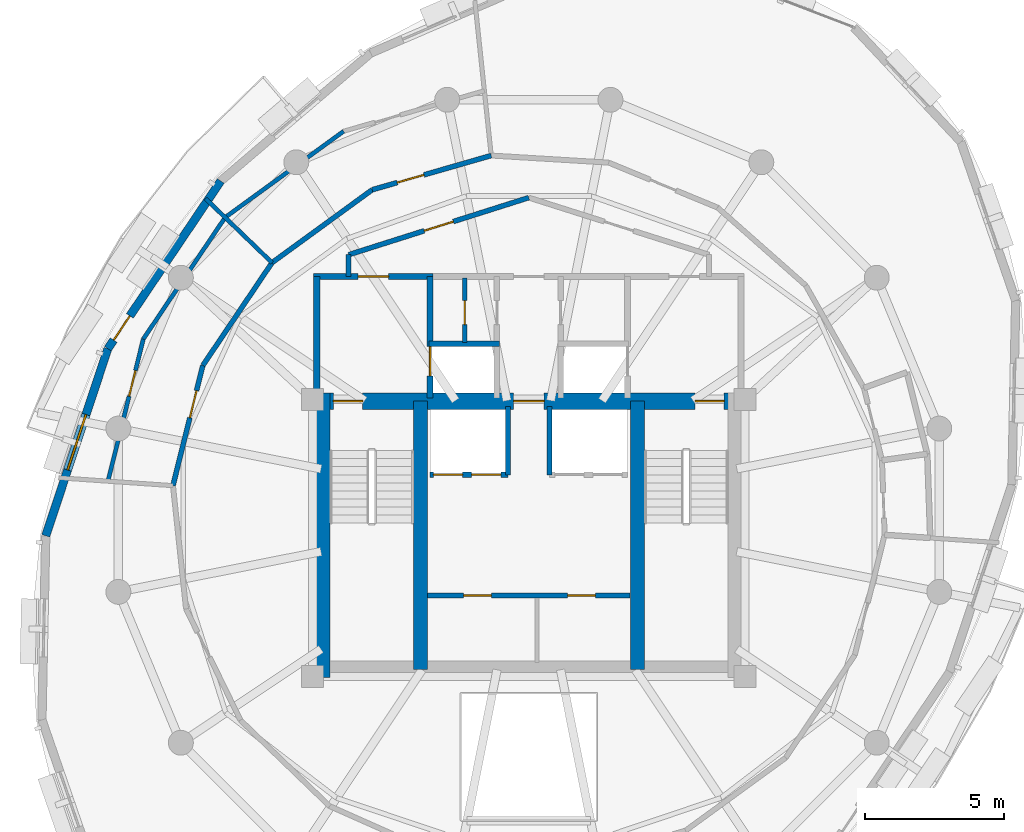
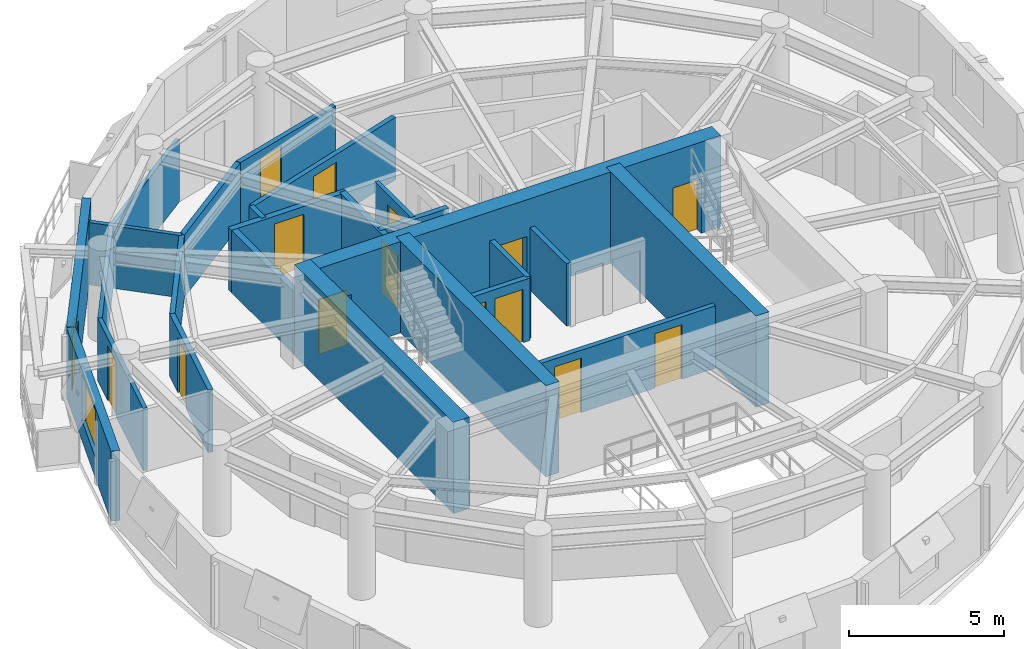
# One storey, part 7 of 11: 25 walls, 15 doors, 1 window, 16 openings.
"""IFC4 building model written with IfcOpenShell, lengths in metres."""

from ifc_helpers import new_model, si_unit, direction, frame, frame_2d, origin, place, context, subcontext, project, spatial, rectangle, extrude, material, layer, layer_set, type_object, element, fill, save


model = new_model("IFC4")

# Units and contexts
model_context = context("Model", 3, precision=1e-05, world=origin(), true_north=direction((0.0, 1.0)))
body_context = subcontext(model_context, "Body", "Model", "MODEL_VIEW")
ifc_project = project(units=[si_unit("LENGTHUNIT", "METRE"), si_unit("AREAUNIT", "SQUARE_METRE"), si_unit("VOLUMEUNIT", "CUBIC_METRE"), si_unit("PLANEANGLEUNIT", "RADIAN"), si_unit("MASSUNIT", "GRAM", prefix="KILO"), si_unit("THERMODYNAMICTEMPERATUREUNIT", "KELVIN"), si_unit("POWERUNIT", "WATT")], contexts=[model_context])

# Site, building, storey
site_placement = place(None, origin())
site = spatial("IfcSite", under=ifc_project, at=site_placement, CompositionType="ELEMENT")
building_placement = place(site_placement, origin())
building = spatial("IfcBuilding", under=site, at=building_placement, Name="Ocrelia Relay Tower", CompositionType="ELEMENT")
storey_placement = place(building_placement, frame((0.0, 0.0, 262.800048828125)))
storey = spatial("IfcBuildingStorey", under=building, at=storey_placement, Name="L65", CompositionType="ELEMENT", Elevation=262.800048828125)

# Wall, openings, doors
ifc_material_1 = material(Name="Concrete C50/60", Category="concrete")
ifc_layer_1 = layer(ifc_material_1, 0.60009765625, Name="Concrete C50/60")
ifc_layer_set_1 = layer_set([ifc_layer_1], Name="Concrete C50/60")
wall_type_1 = type_object("IfcWallType", Name="CW-CORE-600B", PredefinedType="SHEAR", material=ifc_layer_set_1)
wall_1_placement = place(storey_placement, frame((26.221923828125, 29.93798828125, 0.0), z_axis=(0.0, 0.0, 1.0), x_axis=(1.0, 0.0, 0.0)))
wall_1 = element("IfcWall", 1, at=wall_1_placement, inside=storey, type_object=wall_type_1, Name="L65 Core Shear Wall N", PredefinedType="SHEAR", context=body_context, shape_type="SweptSolid", body=[
    extrude(rectangle(XDim=15.566162109375, YDim=0.60009765625, at=frame_2d((7.783203125, 0.0))), origin(), (0.0, 0.0, 1.0), 3.599853515625),
])
opening_1_placement = place(wall_1_placement, frame((0.72802734375, 0.0, 0.0)))
opening_1 = element("IfcOpeningElement", 2, at=opening_1_placement, cuts=wall_1, Name="Opening D-FD90", PredefinedType="OPENING", context=body_context, shape_type="SweptSolid", body=[
    extrude(rectangle(XDim=1.050048828125, YDim=2.14990234375, at=frame_2d((0.52490234375, 1.074951171875))), frame((0.0, 0.31005859375, 0.0), z_axis=(0.0, -1.0, 0.0), x_axis=(1.0, 0.0, 0.0)), (0.0, 0.0, 1.0), 0.6201171875),
])
opening_2_placement = place(wall_1_placement, frame((13.778076171875, 0.0, 0.0)))
opening_2 = element("IfcOpeningElement", 3, at=opening_2_placement, cuts=wall_1, Name="Opening D-FD90", PredefinedType="OPENING", context=body_context, shape_type="SweptSolid", body=[
    extrude(rectangle(XDim=1.050048828125, YDim=2.14990234375, at=frame_2d((0.52490234375, 1.074951171875))), frame((0.0, 0.31005859375, 0.0), z_axis=(0.0, -1.0, 0.0), x_axis=(1.0, 0.0, 0.0)), (0.0, 0.0, 1.0), 0.6201171875),
])
opening_3_placement = place(wall_1_placement, frame((7.22802734375, 0.0, 0.0)))
opening_3 = element("IfcOpeningElement", 4, at=opening_3_placement, cuts=wall_1, Name="Opening D-FD60", PredefinedType="OPENING", context=body_context, shape_type="SweptSolid", body=[
    extrude(rectangle(XDim=1.10009765625, YDim=2.14990234375, at=frame_2d((0.550048828125, 1.074951171875))), frame((0.0, 0.31005859375, 0.0), z_axis=(0.0, -1.0, 0.0), x_axis=(1.0, 0.0, 0.0)), (0.0, 0.0, 1.0), 0.6201171875),
])
ifc_material_2 = material(Name="Timber-core 60-min acoustic fire door", Category="wood")
door_type_1 = type_object("IfcDoorType", Name="DR-LOBBY-FD60-1100", OperationType="NOTDEFINED", PredefinedType="DOOR", material=ifc_material_2)
door_1_placement = place(opening_3_placement, origin())
door_1 = element("IfcDoor", 5, at=door_1_placement, inside=storey, type_object=door_type_1, Name="L65 Core Lift Lobby North Fire Door", OperationType="SINGLE_SWING_LEFT", OverallHeight=2.14990234375, OverallWidth=1.10009765625, PredefinedType="DOOR", context=body_context, shape_type="SweptSolid", body=[
    extrude(rectangle(XDim=1.10009765625, YDim=2.14990234375, at=frame_2d((0.550048828125, 1.074951171875))), frame((0.0, 0.02490234375, 0.0), z_axis=(0.0, -1.0, 0.0), x_axis=(1.0, 0.0, 0.0)), (0.0, 0.0, 1.0), 0.050048828125),
])
fill(opening_3, door_1)
ifc_material_3 = material(Name="Steel S355 90-min fire door", Category="steel")
door_type_2 = type_object("IfcDoorType", Name="DR-STAIR-FD90-1050", OperationType="NOTDEFINED", PredefinedType="DOOR", material=ifc_material_3)
door_2_placement = place(opening_1_placement, origin())
door_2 = element("IfcDoor", 6, at=door_2_placement, inside=storey, type_object=door_type_2, Name="L65 Stair ST1 Fire Door", OperationType="SINGLE_SWING_LEFT", OverallHeight=2.14990234375, OverallWidth=1.050048828125, PredefinedType="DOOR", context=body_context, shape_type="SweptSolid", body=[
    extrude(rectangle(XDim=1.050048828125, YDim=2.14990234375, at=frame_2d((0.52490234375, 1.074951171875))), frame((0.0, 0.02490234375, 0.0), z_axis=(0.0, -1.0, 0.0), x_axis=(1.0, 0.0, 0.0)), (0.0, 0.0, 1.0), 0.050048828125),
])
fill(opening_1, door_2)
door_3_placement = place(opening_2_placement, origin())
door_3 = element("IfcDoor", 7, at=door_3_placement, inside=storey, type_object=door_type_2, Name="L65 Stair ST2 Fire Door", OperationType="SINGLE_SWING_RIGHT", OverallHeight=2.14990234375, OverallWidth=1.050048828125, PredefinedType="DOOR", context=body_context, shape_type="SweptSolid", body=[
    extrude(rectangle(XDim=1.050048828125, YDim=2.14990234375, at=frame_2d((0.52490234375, 1.074951171875))), frame((0.0, 0.02490234375, 0.0), z_axis=(0.0, -1.0, 0.0), x_axis=(1.0, 0.0, 0.0)), (0.0, 0.0, 1.0), 0.050048828125),
])
fill(opening_2, door_3)

# Walls
wall_2_placement = place(storey_placement, frame((26.52197265625, 19.9619140625, 0.0), z_axis=(0.0, 0.0, 1.0), x_axis=(0.0, 1.0, 0.0)))
element("IfcWall", 8, at=wall_2_placement, inside=storey, type_object=wall_type_1, Name="L65 Core Shear Wall W", PredefinedType="SHEAR", context=body_context, shape_type="SweptSolid", body=[
    extrude(rectangle(XDim=10.276123046875, YDim=0.60009765625, at=frame_2d((5.13818359375, 0.0))), origin(), (0.0, 0.0, 1.0), 3.599853515625),
])
for number, where, z_axis, x_axis, name in (
    (9, (30.087890625, 20.261962890625, 0.0), (0.0, 0.0, 1.0), (0.0, 1.0, 0.0), "L65 Core Shear Wall SPW"),
    (10, (37.922119140625, 20.261962890625, 0.0), (0.0, 0.0, 1.0), (0.0, 1.0, 0.0), "L65 Core Shear Wall SPE"),
):
    element("IfcWall", number, at=place(storey_placement, frame(where, z_axis=z_axis, x_axis=x_axis)), inside=storey, type_object=wall_type_1, Name=name, PredefinedType="SHEAR", context=body_context, shape_type="SweptSolid", body=[
        extrude(rectangle(XDim=9.676025390625, YDim=0.5, at=frame_2d((4.837890625, 0.0))), origin(), (0.0, 0.0, 1.0), 3.599853515625),
    ])

# Wall, openings, doors
ifc_material_4 = material(Name="Gypsum Fireboard Partition EI60", Category="gypsum")
ifc_layer_2 = layer(ifc_material_4, 0.179931640625, Name="Gypsum Fireboard Partition EI60")
ifc_layer_set_2 = layer_set([ifc_layer_2], Name="Gypsum Fireboard Partition EI60")
wall_type_2 = type_object("IfcWallType", Name="W-CORR-EI60-180", PredefinedType="PARTITIONING", material=ifc_layer_set_2)
wall_3_placement = place(storey_placement, frame((30.35009765625, 22.919921875, 0.0), z_axis=(0.0, 0.0, 1.0), x_axis=(1.0, 0.0, 0.0)))
wall_3 = element("IfcWall", 11, at=wall_3_placement, inside=storey, type_object=wall_type_2, Name="L65 Reclaimed Core Room Partition", PredefinedType="PARTITIONING", context=body_context, shape_type="SweptSolid", body=[
    extrude(rectangle(XDim=7.2998046875, YDim=0.179931640625, at=frame_2d((3.64990234375, 0.0))), origin(), (0.0, 0.0, 1.0), 2.4599609375),
])
opening_4_placement = place(wall_3_placement, frame((1.300048828125, 0.0, 0.0)))
opening_4 = element("IfcOpeningElement", 12, at=opening_4_placement, cuts=wall_3, Name="Opening D-RM100", PredefinedType="OPENING", context=body_context, shape_type="SweptSolid", body=[
    extrude(rectangle(XDim=1.0, YDim=2.14990234375, at=frame_2d((0.5, 1.074951171875))), frame((0.0, 0.10009765625, 0.0), z_axis=(0.0, -1.0, 0.0), x_axis=(1.0, 0.0, 0.0)), (0.0, 0.0, 1.0), 0.199951171875),
])
opening_5_placement = place(wall_3_placement, frame((5.050048828125, 0.0, 0.0)))
opening_5 = element("IfcOpeningElement", 13, at=opening_5_placement, cuts=wall_3, Name="Opening D-RM100", PredefinedType="OPENING", context=body_context, shape_type="SweptSolid", body=[
    extrude(rectangle(XDim=1.0, YDim=2.14990234375, at=frame_2d((0.5, 1.074951171875))), frame((0.0, 0.10009765625, 0.0), z_axis=(0.0, -1.0, 0.0), x_axis=(1.0, 0.0, 0.0)), (0.0, 0.0, 1.0), 0.199951171875),
])
ifc_material_5 = material(Name="Acoustic oak veneer fire door", Category="wood")
door_type_3 = type_object("IfcDoorType", Name="DR-ROOM-FD60-1000", OperationType="NOTDEFINED", PredefinedType="DOOR", material=ifc_material_5)
door_4_placement = place(opening_4_placement, origin())
door_4 = element("IfcDoor", 14, at=door_4_placement, inside=storey, type_object=door_type_3, Name="L65 Reclaimed Core Room 1 Door", OperationType="SINGLE_SWING_RIGHT", OverallHeight=2.14990234375, OverallWidth=1.0, PredefinedType="DOOR", context=body_context, shape_type="SweptSolid", body=[
    extrude(rectangle(XDim=1.0, YDim=2.14990234375, at=frame_2d((0.5, 1.074951171875))), frame((0.0, 0.02490234375, 0.0), z_axis=(0.0, -1.0, 0.0), x_axis=(1.0, 0.0, 0.0)), (0.0, 0.0, 1.0), 0.050048828125),
])
fill(opening_4, door_4)
door_5_placement = place(opening_5_placement, origin())
door_5 = element("IfcDoor", 15, at=door_5_placement, inside=storey, type_object=door_type_3, Name="L65 Reclaimed Core Room 2 Door", OperationType="SINGLE_SWING_LEFT", OverallHeight=2.14990234375, OverallWidth=1.0, PredefinedType="DOOR", context=body_context, shape_type="SweptSolid", body=[
    extrude(rectangle(XDim=1.0, YDim=2.14990234375, at=frame_2d((0.5, 1.074951171875))), frame((0.0, 0.02490234375, 0.0), z_axis=(0.0, -1.0, 0.0), x_axis=(1.0, 0.0, 0.0)), (0.0, 0.0, 1.0), 0.050048828125),
])
fill(opening_5, door_5)

# Wall
wall_4_placement = place(storey_placement, frame((27.5, 34.429931640625, 0.0), z_axis=(0.0, 0.0, 1.0), x_axis=(0.0, 1.0, 0.0)))
element("IfcWall", 16, at=wall_4_placement, inside=storey, type_object=wall_type_2, Name="L65 Smoke Lobby West Return", PredefinedType="PARTITIONING", context=body_context, shape_type="SweptSolid", body=[
    extrude(rectangle(XDim=0.7890625, YDim=0.179931640625, at=frame_2d((0.39453125, 0.0))), origin(), (0.0, 0.0, 1.0), 2.4599609375),
])

# Wall, opening, door
wall_5_placement = place(storey_placement, frame((27.5, 35.218994140625, 0.0), z_axis=(0.0, 0.0, 1.0), x_axis=(0.953228121756, 0.302251795518, 0.0)))
wall_5 = element("IfcWall", 17, at=wall_5_placement, inside=storey, type_object=wall_type_2, Name="L65 North Smoke Lobby W Screen Wall", PredefinedType="PARTITIONING", context=body_context, shape_type="SweptSolid", body=[
    extrude(rectangle(XDim=6.81884765625, YDim=0.179931640625, at=frame_2d((3.409423828125, 0.0))), origin(), (0.0, 0.0, 1.0), 2.4599609375),
])
opening_6_placement = place(wall_5_placement, frame((2.859619140625, 0.0, 0.0)))
opening_6 = element("IfcOpeningElement", 18, at=opening_6_placement, cuts=wall_5, Name="Opening D-FD60", PredefinedType="OPENING", context=body_context, shape_type="SweptSolid", body=[
    extrude(rectangle(XDim=1.10009765625, YDim=2.14990234375, at=frame_2d((0.550048828125, 1.074951171875))), frame((0.0, 0.10009765625, 0.0), z_axis=(0.0, -1.0, 0.0), x_axis=(1.0, 0.0, 0.0)), (0.0, 0.0, 1.0), 0.199951171875),
])
door_6_placement = place(opening_6_placement, origin())
door_6 = element("IfcDoor", 19, at=door_6_placement, inside=storey, type_object=door_type_1, Name="L65 North Smoke Lobby W Fire Door", OperationType="SINGLE_SWING_RIGHT", OverallHeight=2.14990234375, OverallWidth=1.10009765625, PredefinedType="DOOR", context=body_context, shape_type="SweptSolid", body=[
    extrude(rectangle(XDim=1.10009765625, YDim=2.14990234375, at=frame_2d((0.550048828125, 1.074951171875))), frame((0.0, 0.02490234375, 0.0), z_axis=(0.0, -1.0, 0.0), x_axis=(1.0, 0.0, 0.0)), (0.0, 0.0, 1.0), 0.050048828125),
])
fill(opening_6, door_6)

wall_6_placement = place(storey_placement, frame((32.6435546875, 38.79833984375, 0.0), z_axis=(0.0, 0.0, 1.0), x_axis=(-0.961015255025, -0.276495351878, 0.0)))
wall_6 = element("IfcWall", 20, at=wall_6_placement, inside=storey, type_object=wall_type_2, Name="L65 Registry Store A Corridor Partition 1", PredefinedType="PARTITIONING", context=body_context, shape_type="SweptSolid", body=[
    extrude(rectangle(XDim=4.4697265625, YDim=0.179931640625, at=frame_2d((2.23486328125, 0.0))), origin(), (0.0, 0.0, 1.0), 2.4599609375),
])
opening_7_placement = place(wall_6_placement, frame((2.527099609375, 0.0, 0.0)))
opening_7 = element("IfcOpeningElement", 21, at=opening_7_placement, cuts=wall_6, Name="Opening D-RM100", PredefinedType="OPENING", context=body_context, shape_type="SweptSolid", body=[
    extrude(rectangle(XDim=1.0, YDim=2.14990234375, at=frame_2d((0.5, 1.074951171875))), frame((0.0, 0.10009765625, 0.0), z_axis=(0.0, -1.0, 0.0), x_axis=(1.0, 0.0, 0.0)), (0.0, 0.0, 1.0), 0.199951171875),
])
door_7_placement = place(opening_7_placement, origin())
door_7 = element("IfcDoor", 22, at=door_7_placement, inside=storey, type_object=door_type_3, Name="L65 Registry Store A Entrance Door", OperationType="SINGLE_SWING_LEFT", OverallHeight=2.14990234375, OverallWidth=1.0, PredefinedType="DOOR", context=body_context, shape_type="SweptSolid", body=[
    extrude(rectangle(XDim=1.0, YDim=2.14990234375, at=frame_2d((0.5, 1.074951171875))), frame((0.0, 0.02490234375, 0.0), z_axis=(0.0, -1.0, 0.0), x_axis=(1.0, 0.0, 0.0)), (0.0, 0.0, 1.0), 0.050048828125),
])
fill(opening_7, door_7)

# Walls
for number, where, z_axis, x_axis, name in (
    (23, (28.34814453125, 37.5625, 0.0), (0.0, 0.0, 1.0), (-0.808504545443, -0.588489931942, 0.0), "L65 Registry Store A Corridor Partition 2"),
    (24, (24.734375, 34.93212890625, 0.0), (0.0, 0.0, 1.0), (-0.558488411433, -0.829512323172, 0.0), "L65 Records Cupboard Store B Corridor Partition 1"),
):
    element("IfcWall", number, at=place(storey_placement, frame(where, z_axis=z_axis, x_axis=x_axis)), inside=storey, type_object=wall_type_2, Name=name, PredefinedType="PARTITIONING", context=body_context, shape_type="SweptSolid", body=[
        extrude(rectangle(XDim=4.4697265625, YDim=0.179931640625, at=frame_2d((2.23486328125, 0.0))), origin(), (0.0, 0.0, 1.0), 2.4599609375),
    ])

# Wall, opening, door
wall_7_placement = place(storey_placement, frame((22.238037109375, 31.224365234375, 0.0), z_axis=(0.0, 0.0, 1.0), x_axis=(-0.241057272798, -0.970510891866, 0.0)))
wall_7 = element("IfcWall", 25, at=wall_7_placement, inside=storey, type_object=wall_type_2, Name="L65 Records Cupboard Store B Corridor Partition 2", PredefinedType="PARTITIONING", context=body_context, shape_type="SweptSolid", body=[
    extrude(rectangle(XDim=4.469482421875, YDim=0.179931640625, at=frame_2d((2.23486328125, 0.0))), origin(), (0.0, 0.0, 1.0), 2.4599609375),
])
opening_8_placement = place(wall_7_placement, frame((0.9423828125, 0.0, 0.0)))
opening_8 = element("IfcOpeningElement", 26, at=opening_8_placement, cuts=wall_7, Name="Opening D-RM100", PredefinedType="OPENING", context=body_context, shape_type="SweptSolid", body=[
    extrude(rectangle(XDim=1.0, YDim=2.14990234375, at=frame_2d((0.5, 1.074951171875))), frame((0.0, 0.10009765625, 0.0), z_axis=(0.0, -1.0, 0.0), x_axis=(1.0, 0.0, 0.0)), (0.0, 0.0, 1.0), 0.199951171875),
])
door_8_placement = place(opening_8_placement, origin())
door_8 = element("IfcDoor", 27, at=door_8_placement, inside=storey, type_object=door_type_3, Name="L65 Records Cupboard Store B Entrance Door", OperationType="SINGLE_SWING_LEFT", OverallHeight=2.14990234375, OverallWidth=1.0, PredefinedType="DOOR", context=body_context, shape_type="SweptSolid", body=[
    extrude(rectangle(XDim=1.0, YDim=2.14990234375, at=frame_2d((0.5, 1.074951171875))), frame((0.0, 0.02490234375, 0.0), z_axis=(0.0, -1.0, 0.0), x_axis=(1.0, 0.0, 0.0)), (0.0, 0.0, 1.0), 0.050048828125),
])
fill(opening_8, door_8)

ifc_material_6 = material(Name="Precast concrete C40/50 with oxide terracotta", Category="masonry")
ifc_layer_3 = layer(ifc_material_6, 0.300048828125, Name="Precast concrete C40/50 with oxide terracotta")
ifc_layer_set_3 = layer_set([ifc_layer_3], Name="Precast concrete C40/50 with oxide terracotta")
wall_type_3 = type_object("IfcWallType", Name="W-EXT-TERR-300", PredefinedType="SOLIDWALL", material=ifc_layer_set_3)
wall_8_placement = place(storey_placement, frame((22.884033203125, 37.879638671875, 0.0), z_axis=(0.0, 0.0, 1.0), x_axis=(-0.558472062766, -0.829523330057, 0.0)))
wall_8 = element("IfcWall", 28, at=wall_8_placement, inside=storey, type_object=wall_type_3, Name="L65 Oxide Terracotta Facade Wall 05", PredefinedType="SOLIDWALL", context=body_context, shape_type="SweptSolid", body=[
    extrude(rectangle(XDim=7.293212890625, YDim=0.300048828125, at=frame_2d((3.646484375, 0.0))), origin(), (0.0, 0.0, 1.0), 2.760009765625),
])
opening_9_placement = place(wall_8_placement, frame((5.8701171875, 0.0, 0.0)))
opening_9 = element("IfcOpeningElement", 29, at=opening_9_placement, cuts=wall_8, Name="Opening DB-105", PredefinedType="OPENING", context=body_context, shape_type="SweptSolid", body=[
    extrude(rectangle(XDim=1.050048828125, YDim=2.14990234375, at=frame_2d((0.52490234375, 1.074951171875))), frame((0.0, 0.16015625, 0.0), z_axis=(0.0, -1.0, 0.0), x_axis=(1.0, 0.0, 0.0)), (0.0, 0.0, 1.0), 0.320068359375),
])
ifc_material_7 = material(Name="Thermally broken aluminium and clear glass", Category="aluminium")
door_type_4 = type_object("IfcDoorType", Name="DR-BALC-1050", OperationType="NOTDEFINED", PredefinedType="DOOR", material=ifc_material_7)
door_9_placement = place(opening_9_placement, origin())
door_9 = element("IfcDoor", 30, at=door_9_placement, inside=storey, type_object=door_type_4, Name="L65 Planted Loggia Balcony Door B1", OperationType="SINGLE_SWING_LEFT", OverallHeight=2.14990234375, OverallWidth=1.050048828125, PredefinedType="DOOR", context=body_context, shape_type="SweptSolid", body=[
    extrude(rectangle(XDim=1.050048828125, YDim=2.14990234375, at=frame_2d((0.52490234375, 1.074951171875))), frame((0.0, 0.02490234375, 0.0), z_axis=(0.0, -1.0, 0.0), x_axis=(1.0, 0.0, 0.0)), (0.0, 0.0, 1.0), 0.050048828125),
])
fill(opening_9, door_9)

# Wall, opening, window
wall_9_placement = place(storey_placement, frame((18.81103515625, 31.829833984375, 0.0), z_axis=(0.0, 0.0, 1.0), x_axis=(-0.314951068445, -0.949107909821, 0.0)))
wall_9 = element("IfcWall", 31, at=wall_9_placement, inside=storey, type_object=wall_type_3, Name="L65 Oxide Terracotta Facade Wall 06", PredefinedType="SOLIDWALL", context=body_context, shape_type="SweptSolid", body=[
    extrude(rectangle(XDim=7.115234375, YDim=0.300048828125, at=frame_2d((3.5576171875, 0.0))), origin(), (0.0, 0.0, 1.0), 2.760009765625),
])
opening_10_placement = place(wall_9_placement, frame((2.508056640625, 0.0, 0.800048828125)))
opening_10 = element("IfcOpeningElement", 32, at=opening_10_placement, cuts=wall_9, Name="Opening W-07", PredefinedType="OPENING", context=body_context, shape_type="SweptSolid", body=[
    extrude(rectangle(XDim=2.10009765625, YDim=1.85009765625, at=frame_2d((1.050048828125, 0.925048828125))), frame((0.0, 0.16015625, 0.0), z_axis=(0.0, -1.0, 0.0), x_axis=(1.0, 0.0, 0.0)), (0.0, 0.0, 1.0), 0.320068359375),
])
ifc_material_8 = material(Name="Clear double-glazed low-E glass", Category="glass")
window_type = type_object("IfcWindowType", Name="WIN-Z4-2100x2200", PartitioningType="DOUBLE_PANEL_VERTICAL", PredefinedType="WINDOW", material=ifc_material_8)
window_placement = place(opening_10_placement, origin())
window = element("IfcWindow", 33, at=window_placement, inside=storey, type_object=window_type, Name="L65 Facade Module Window 06", OverallHeight=1.85009765625, OverallWidth=2.10009765625, PartitioningType="SINGLE_PANEL", PredefinedType="WINDOW", context=body_context, shape_type="SweptSolid", body=[
    extrude(rectangle(XDim=2.10009765625, YDim=1.85009765625, at=frame_2d((1.050048828125, 0.925048828125))), frame((0.0, 0.030029296875, 0.0), z_axis=(0.0, -1.0, 0.0), x_axis=(1.0, 0.0, 0.0)), (0.0, 0.0, 1.0), 0.06005859375),
])
fill(opening_10, window)

# Wall
ifc_layer_4 = layer(ifc_material_1, 0.219970703125, Name="Concrete C50/60")
ifc_layer_set_4 = layer_set([ifc_layer_4], Name="Concrete C50/60")
wall_type_4 = type_object("IfcWallType", Name="W-FFL-EI120-220", PredefinedType="SOLIDWALL", material=ifc_layer_set_4)
wall_10_placement = place(storey_placement, frame((26.35009765625, 30.050048828125, 0.0), z_axis=(0.0, 0.0, 1.0), x_axis=(0.0, 1.0, 0.0)))
element("IfcWall", 34, at=wall_10_placement, inside=storey, type_object=wall_type_4, Name="L65 W Fire Service Lift Lobby West Wall", PredefinedType="SOLIDWALL", context=body_context, shape_type="SweptSolid", body=[
    extrude(rectangle(XDim=4.3798828125, YDim=0.219970703125, at=frame_2d((2.18994140625, 0.0))), origin(), (0.0, 0.0, 1.0), 2.4599609375),
])

# Wall, opening, door
wall_11_placement = place(storey_placement, frame((30.43994140625, 30.050048828125, 0.0), z_axis=(0.0, 0.0, 1.0), x_axis=(0.0, 1.0, 0.0)))
wall_11 = element("IfcWall", 35, at=wall_11_placement, inside=storey, type_object=wall_type_4, Name="L65 W Fire Service Lift Lobby East Wall", PredefinedType="SOLIDWALL", context=body_context, shape_type="SweptSolid", body=[
    extrude(rectangle(XDim=4.3798828125, YDim=0.219970703125, at=frame_2d((2.18994140625, 0.0))), origin(), (0.0, 0.0, 1.0), 2.4599609375),
])
opening_11_placement = place(wall_11_placement, frame((0.800048828125, 0.0, 0.0)))
opening_11 = element("IfcOpeningElement", 36, at=opening_11_placement, cuts=wall_11, Name="Opening LD-FFL1", PredefinedType="OPENING", context=body_context, shape_type="SweptSolid", body=[
    extrude(rectangle(XDim=1.050048828125, YDim=2.10009765625, at=frame_2d((0.52490234375, 1.050048828125))), frame((0.0, 0.1201171875, 0.0), z_axis=(0.0, -1.0, 0.0), x_axis=(1.0, 0.0, 0.0)), (0.0, 0.0, 1.0), 0.239990234375),
])
ifc_material_9 = material(Name="Brushed stainless steel S355 lift landing door", Category="steel")
door_type_5 = type_object("IfcDoorType", Name="DR-LIFT-LAND-1050", OperationType="DOUBLE_DOOR_SLIDING", PredefinedType="USERDEFINED", material=ifc_material_9)
door_10_placement = place(opening_11_placement, origin())
door_10 = element("IfcDoor", 37, at=door_10_placement, inside=storey, type_object=door_type_5, Name="L65 Firefighting Lift FFL1 Sliding Landing Door", ObjectType="LANDING DOOR", OperationType="DOUBLE_DOOR_SLIDING", OverallHeight=2.10009765625, OverallWidth=1.050048828125, PredefinedType="USERDEFINED", context=body_context, shape_type="SweptSolid", body=[
    extrude(rectangle(XDim=1.050048828125, YDim=2.10009765625, at=frame_2d((0.52490234375, 1.050048828125))), frame((0.0, 0.02490234375, 0.0), z_axis=(0.0, -1.0, 0.0), x_axis=(1.0, 0.0, 0.0)), (0.0, 0.0, 1.0), 0.050048828125),
])
fill(opening_11, door_10)

wall_12_placement = place(storey_placement, frame((26.239990234375, 34.429931640625, 0.0), z_axis=(0.0, 0.0, 1.0), x_axis=(1.0, 0.0, 0.0)))
wall_12 = element("IfcWall", 38, at=wall_12_placement, inside=storey, type_object=wall_type_4, Name="L65 W Fire Service Lift Lobby North Wall", PredefinedType="SOLIDWALL", context=body_context, shape_type="SweptSolid", body=[
    extrude(rectangle(XDim=4.31005859375, YDim=0.219970703125, at=frame_2d((2.155029296875, 0.0))), origin(), (0.0, 0.0, 1.0), 2.4599609375),
])
opening_12_placement = place(wall_12_placement, frame((1.60009765625, 0.0, 0.0)))
opening_12 = element("IfcOpeningElement", 39, at=opening_12_placement, cuts=wall_12, Name="Opening D-FD60", PredefinedType="OPENING", context=body_context, shape_type="SweptSolid", body=[
    extrude(rectangle(XDim=1.10009765625, YDim=2.14990234375, at=frame_2d((0.550048828125, 1.074951171875))), frame((0.0, 0.1201171875, 0.0), z_axis=(0.0, -1.0, 0.0), x_axis=(1.0, 0.0, 0.0)), (0.0, 0.0, 1.0), 0.239990234375),
])
door_11_placement = place(opening_12_placement, origin())
door_11 = element("IfcDoor", 40, at=door_11_placement, inside=storey, type_object=door_type_1, Name="L65 W Fire Service Lift Lobby Exit Door", OperationType="SINGLE_SWING_RIGHT", OverallHeight=2.14990234375, OverallWidth=1.10009765625, PredefinedType="DOOR", context=body_context, shape_type="SweptSolid", body=[
    extrude(rectangle(XDim=1.10009765625, YDim=2.14990234375, at=frame_2d((0.550048828125, 1.074951171875))), frame((0.0, 0.02490234375, 0.0), z_axis=(0.0, -1.0, 0.0), x_axis=(1.0, 0.0, 0.0)), (0.0, 0.0, 1.0), 0.050048828125),
])
fill(opening_12, door_11)

ifc_material_10 = material(Name="Acoustic Fireboard Partition EI60", Category="gypsum")
ifc_layer_5 = layer(ifc_material_10, 0.14990234375, Name="Acoustic Fireboard Partition EI60")
ifc_layer_set_5 = layer_set([ifc_layer_5], Name="Acoustic Fireboard Partition EI60")
wall_type_5 = type_object("IfcWallType", Name="W-PART-150", PredefinedType="PARTITIONING", material=ifc_layer_set_5)
wall_13_placement = place(storey_placement, frame((31.68994140625, 32.050048828125, 0.0), z_axis=(0.0, 0.0, 1.0), x_axis=(0.0, 1.0, 0.0)))
wall_13 = element("IfcWall", 41, at=wall_13_placement, inside=storey, type_object=wall_type_5, Name="L65 West Core Support Partition", PredefinedType="PARTITIONING", context=body_context, shape_type="SweptSolid", body=[
    extrude(rectangle(XDim=2.329833984375, YDim=0.14990234375, at=frame_2d((1.1650390625, 0.0))), origin(), (0.0, 0.0, 1.0), 2.4599609375),
])
opening_13_placement = place(wall_13_placement, frame((0.64990234375, 0.0, 0.0)))
opening_13 = element("IfcOpeningElement", 42, at=opening_13_placement, cuts=wall_13, Name="Opening D-RS86", PredefinedType="OPENING", context=body_context, shape_type="SweptSolid", body=[
    extrude(rectangle(XDim=0.860107421875, YDim=2.050048828125, at=frame_2d((0.43017578125, 1.02490234375))), frame((0.0, 0.0849609375, 0.0), z_axis=(0.0, -1.0, 0.0), x_axis=(1.0, 0.0, 0.0)), (0.0, 0.0, 1.0), 0.169921875),
])
ifc_material_11 = material(Name="Steel S355 riser access fire door", Category="steel")
door_type_6 = type_object("IfcDoorType", Name="DR-RISER-TRAP-860", OperationType="NOTDEFINED", PredefinedType="TRAPDOOR", material=ifc_material_11)
door_12_placement = place(opening_13_placement, origin())
door_12 = element("IfcDoor", 43, at=door_12_placement, inside=storey, type_object=door_type_6, Name="L65 West Core Store Connecting Door", OperationType="SINGLE_SWING_LEFT", OverallHeight=2.050048828125, OverallWidth=0.860107421875, PredefinedType="TRAPDOOR", context=body_context, shape_type="SweptSolid", body=[
    extrude(rectangle(XDim=0.860107421875, YDim=2.050048828125, at=frame_2d((0.43017578125, 1.02490234375))), frame((0.0, 0.02490234375, 0.0), z_axis=(0.0, -1.0, 0.0), x_axis=(1.0, 0.0, 0.0)), (0.0, 0.0, 1.0), 0.050048828125),
])
fill(opening_13, door_12)

# Walls
wall_14_placement = place(storey_placement, frame((24.734375, 34.93212890625, 0.0), z_axis=(0.0, 0.0, 1.0), x_axis=(-0.719960692402, 0.694014842345, 0.0)))
element("IfcWall", 44, at=wall_14_placement, inside=storey, type_object=wall_type_5, Name="L65 Registry Store A Radial Partition", PredefinedType="PARTITIONING", context=body_context, shape_type="SweptSolid", body=[
    extrude(rectangle(XDim=3.3310546875, YDim=0.14990234375, at=frame_2d((1.66552734375, 0.0))), origin(), (0.0, 0.0, 1.0), 2.4599609375),
])
wall_15_placement = place(storey_placement, frame((27.316162109375, 39.673828125, 0.0), z_axis=(0.0, 0.0, 1.0), x_axis=(-0.808492350613, -0.588506685604, 0.0)))
element("IfcWall", 45, at=wall_15_placement, inside=storey, type_object=wall_type_5, Name="L65 Perimeter Registry Store A Mid-Ring Partition 2", PredefinedType="PARTITIONING", context=body_context, shape_type="SweptSolid", body=[
    extrude(rectangle(XDim=5.285888671875, YDim=0.14990234375, at=frame_2d((2.64306640625, 0.0))), origin(), (0.0, 0.0, 1.0), 2.4599609375),
])
wall_16_placement = place(storey_placement, frame((23.04248046875, 36.56298828125, 0.0), z_axis=(0.0, 0.0, 1.0), x_axis=(-0.558510235994, -0.829497628863, 0.0)))
element("IfcWall", 46, at=wall_16_placement, inside=storey, type_object=wall_type_5, Name="L65 Perimeter Records Cupboard Store B Mid-Ring Partition 1", PredefinedType="PARTITIONING", context=body_context, shape_type="SweptSolid", body=[
    extrude(rectangle(XDim=5.28564453125, YDim=0.14990234375, at=frame_2d((2.642822265625, 0.0))), origin(), (0.0, 0.0, 1.0), 2.4599609375),
])

# Wall, opening, door
wall_17_placement = place(storey_placement, frame((20.09033203125, 32.178466796875, 0.0), z_axis=(0.0, 0.0, 1.0), x_axis=(-0.241046509173, -0.970513565292, 0.0)))
wall_17 = element("IfcWall", 47, at=wall_17_placement, inside=storey, type_object=wall_type_5, Name="L65 Perimeter Records Cupboard Store B Mid-Ring Partition 2", PredefinedType="PARTITIONING", context=body_context, shape_type="SweptSolid", body=[
    extrude(rectangle(XDim=5.285888671875, YDim=0.14990234375, at=frame_2d((2.64306640625, 0.0))), origin(), (0.0, 0.0, 1.0), 2.4599609375),
])
opening_14_placement = place(wall_17_placement, frame((1.174072265625, 0.0, 0.0)))
opening_14 = element("IfcOpeningElement", 48, at=opening_14_placement, cuts=wall_17, Name="Opening D-RM95", PredefinedType="OPENING", context=body_context, shape_type="SweptSolid", body=[
    extrude(rectangle(XDim=0.949951171875, YDim=2.14990234375, at=frame_2d((0.47509765625, 1.074951171875))), frame((0.0, 0.0849609375, 0.0), z_axis=(0.0, -1.0, 0.0), x_axis=(1.0, 0.0, 0.0)), (0.0, 0.0, 1.0), 0.169921875),
])
door_type_7 = type_object("IfcDoorType", Name="DR-ROOM-950", OperationType="NOTDEFINED", PredefinedType="DOOR", material=ifc_material_5)
door_13_placement = place(opening_14_placement, origin())
door_13 = element("IfcDoor", 49, at=door_13_placement, inside=storey, type_object=door_type_7, Name="L65 Perimeter Records Cupboard Store B Connecting Door", OperationType="SINGLE_SWING_RIGHT", OverallHeight=2.14990234375, OverallWidth=0.949951171875, PredefinedType="DOOR", context=body_context, shape_type="SweptSolid", body=[
    extrude(rectangle(XDim=0.949951171875, YDim=2.14990234375, at=frame_2d((0.47509765625, 1.074951171875))), frame((0.0, 0.02490234375, 0.0), z_axis=(0.0, -1.0, 0.0), x_axis=(1.0, 0.0, 0.0)), (0.0, 0.0, 1.0), 0.050048828125),
])
fill(opening_14, door_13)

# Wall
ifc_layer_6 = layer(ifc_material_1, 0.199951171875, Name="Concrete C50/60")
ifc_layer_set_6 = layer_set([ifc_layer_6], Name="Concrete C50/60")
wall_type_6 = type_object("IfcWallType", Name="W-SHAFT-EI120-200", PredefinedType="SOLIDWALL", material=ifc_layer_set_6)
wall_18_placement = place(storey_placement, frame((30.39990234375, 32.0, 0.0), z_axis=(0.0, 0.0, 1.0), x_axis=(1.0, 0.0, 0.0)))
element("IfcWall", 50, at=wall_18_placement, inside=storey, type_object=wall_type_6, Name="L65 FFL1 Hoistway North Wall", PredefinedType="SOLIDWALL", context=body_context, shape_type="SweptSolid", body=[
    extrude(rectangle(XDim=2.550048828125, YDim=0.199951171875, at=frame_2d((1.27490234375, 0.0))), origin(), (0.0, 0.0, 1.0), 2.4599609375),
])

# Wall, openings, doors
wall_19_placement = place(storey_placement, frame((30.43994140625, 27.280029296875, 0.0), z_axis=(0.0, 0.0, 1.0), x_axis=(1.0, 0.0, 0.0)))
wall_19 = element("IfcWall", 51, at=wall_19_placement, inside=storey, type_object=wall_type_6, Name="L65 High-Rise Lift Hoistway Wall W", PredefinedType="SOLIDWALL", context=body_context, shape_type="SweptSolid", body=[
    extrude(rectangle(XDim=2.81005859375, YDim=0.199951171875, at=frame_2d((1.405029296875, 0.0))), origin(), (0.0, 0.0, 1.0), 2.4599609375),
])
opening_15_placement = place(wall_19_placement, frame((0.1201171875, 0.0, 0.0)))
opening_15 = element("IfcOpeningElement", 52, at=opening_15_placement, cuts=wall_19, Name="Opening LD-PL5", PredefinedType="OPENING", context=body_context, shape_type="SweptSolid", body=[
    extrude(rectangle(XDim=1.050048828125, YDim=2.10009765625, at=frame_2d((0.52490234375, 1.050048828125))), frame((0.0, 0.10986328125, 0.0), z_axis=(0.0, -1.0, 0.0), x_axis=(1.0, 0.0, 0.0)), (0.0, 0.0, 1.0), 0.219970703125),
])
opening_16_placement = place(wall_19_placement, frame((1.5, 0.0, 0.0)))
opening_16 = element("IfcOpeningElement", 53, at=opening_16_placement, cuts=wall_19, Name="Opening LD-PL6", PredefinedType="OPENING", context=body_context, shape_type="SweptSolid", body=[
    extrude(rectangle(XDim=1.050048828125, YDim=2.10009765625, at=frame_2d((0.52490234375, 1.050048828125))), frame((0.0, 0.10986328125, 0.0), z_axis=(0.0, -1.0, 0.0), x_axis=(1.0, 0.0, 0.0)), (0.0, 0.0, 1.0), 0.219970703125),
])
door_14_placement = place(opening_15_placement, origin())
door_14 = element("IfcDoor", 54, at=door_14_placement, inside=storey, type_object=door_type_5, Name="L65 High-Rise Lift PL5 Sliding Landing Door", ObjectType="LANDING DOOR", OperationType="DOUBLE_DOOR_SLIDING", OverallHeight=2.10009765625, OverallWidth=1.050048828125, PredefinedType="USERDEFINED", context=body_context, shape_type="SweptSolid", body=[
    extrude(rectangle(XDim=1.050048828125, YDim=2.10009765625, at=frame_2d((0.52490234375, 1.050048828125))), frame((0.0, 0.02490234375, 0.0), z_axis=(0.0, -1.0, 0.0), x_axis=(1.0, 0.0, 0.0)), (0.0, 0.0, 1.0), 0.050048828125),
])
fill(opening_15, door_14)
door_15_placement = place(opening_16_placement, origin())
door_15 = element("IfcDoor", 55, at=door_15_placement, inside=storey, type_object=door_type_5, Name="L65 High-Rise Lift PL6 Sliding Landing Door", ObjectType="LANDING DOOR", OperationType="DOUBLE_DOOR_SLIDING", OverallHeight=2.10009765625, OverallWidth=1.050048828125, PredefinedType="USERDEFINED", context=body_context, shape_type="SweptSolid", body=[
    extrude(rectangle(XDim=1.050048828125, YDim=2.10009765625, at=frame_2d((0.52490234375, 1.050048828125))), frame((0.0, 0.02490234375, 0.0), z_axis=(0.0, -1.0, 0.0), x_axis=(1.0, 0.0, 0.0)), (0.0, 0.0, 1.0), 0.050048828125),
])
fill(opening_16, door_15)

# Walls
for number, where, z_axis, x_axis, name in (
    (56, (33.25, 27.280029296875, 0.0), (0.0, 0.0, 1.0), (0.0, 1.0, 0.0), "L65 High-Rise Lift Throat Wall W"),
    (57, (34.75, 27.280029296875, 0.0), (0.0, 0.0, 1.0), (0.0, 1.0, 0.0), "L65 High-Rise Lift Throat Wall E"),
):
    element("IfcWall", number, at=place(storey_placement, frame(where, z_axis=z_axis, x_axis=x_axis)), inside=storey, type_object=wall_type_6, Name=name, PredefinedType="SOLIDWALL", context=body_context, shape_type="SweptSolid", body=[
        extrude(rectangle(XDim=2.469970703125, YDim=0.179931640625, at=frame_2d((1.23486328125, 0.0))), origin(), (0.0, 0.0, 1.0), 2.4599609375),
    ])

save(model, "model.ifc")
